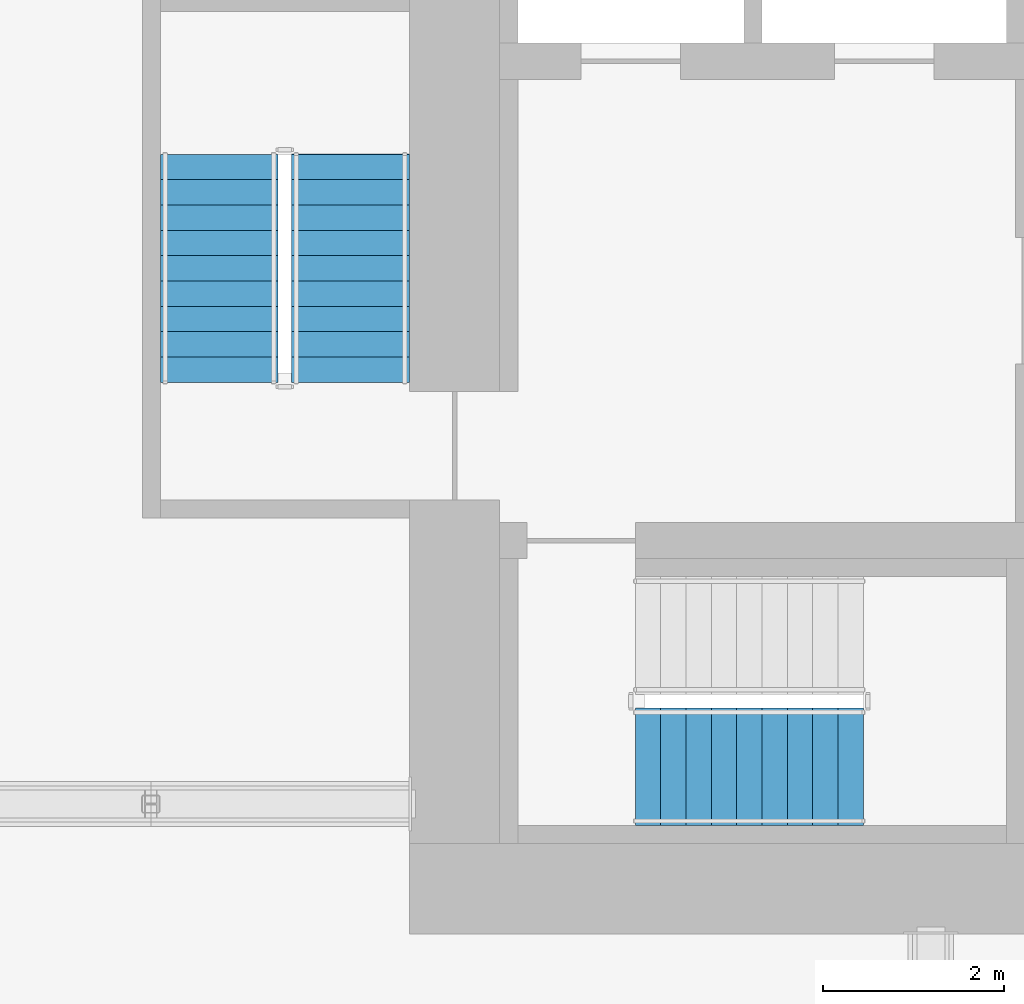
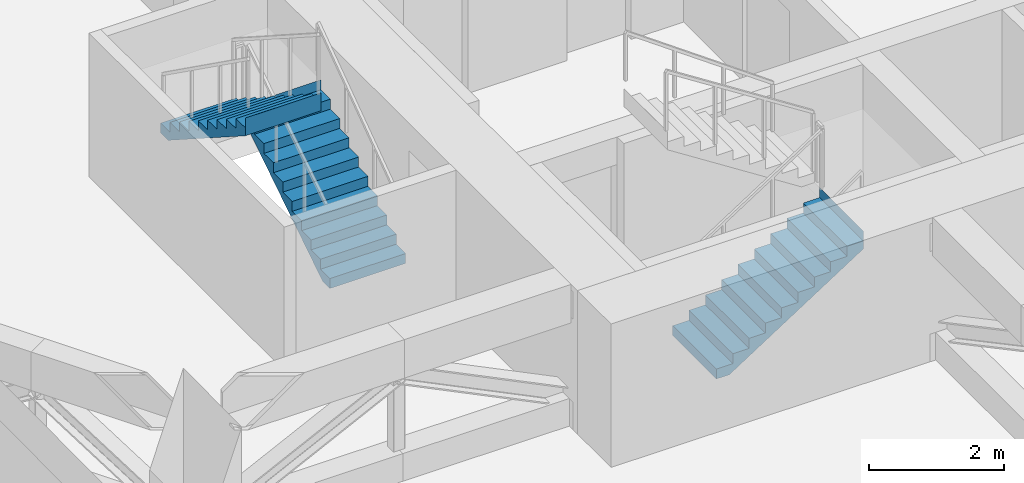
# One storey, part 17 of 23: 3 stair flights, 2 elements without a shape of their own.
"""IFC4 building model written with IfcOpenShell, lengths in metres."""

from ifc_helpers import new_model, si_unit, direction, frame, origin, place, context, subcontext, project, spatial, triangles, material, type_object, element, aggregate, save


model = new_model("IFC4")

# Units and contexts
model_context = context("Model", 3, precision=1e-05, world=origin(), true_north=direction((0.0, 1.0)))
body_context = subcontext(model_context, "Body", "Model", "MODEL_VIEW")
ifc_project = project(units=[si_unit("LENGTHUNIT", "METRE"), si_unit("AREAUNIT", "SQUARE_METRE"), si_unit("VOLUMEUNIT", "CUBIC_METRE"), si_unit("PLANEANGLEUNIT", "RADIAN"), si_unit("MASSUNIT", "GRAM", prefix="KILO")], contexts=[model_context])

# Site, building, storey
site_placement = place(None, origin())
site = spatial("IfcSite", under=ifc_project, at=site_placement, CompositionType="ELEMENT")
building_placement = place(site_placement, origin())
building = spatial("IfcBuilding", under=site, at=building_placement, Name="Beryl Residences", CompositionType="ELEMENT")
storey_placement = place(building_placement, frame((0.0, 0.0, 108.0)))
storey = spatial("IfcBuildingStorey", under=building, at=storey_placement, Name="L33", CompositionType="ELEMENT", Elevation=108.0)

# Stair, stair flight
ifc_material_1 = material(Name="Concrete C40/50", Category="concrete")
stair_type = type_object("IfcStairType", Name="ST1 protected exit stair, half-turn, 1300 mm flights", PredefinedType="HALF_TURN_STAIR", material=ifc_material_1)
stair_1_placement = place(storey_placement, origin())
stair_1 = element("IfcStair", 1, at=stair_1_placement, inside=storey, type_object=stair_type, Name="L33 PROTECTED EXIT STAIR ST-1", PredefinedType="HALF_TURN_STAIR")
ifc_material_2 = material(Name="Concrete C40/50", Category="concrete")
stair_flight_type = type_object("IfcStairFlightType", Name="SF1 stair flight 1300 mm", PredefinedType="STRAIGHT", material=ifc_material_2)
stair_flight_1_placement = place(storey_placement, frame((-10.800048828125, -17.14990234375, 0.0), z_axis=(0.0, 0.0, 1.0), x_axis=(1.0, 0.0, 0.0)))
stair_flight_1 = element("IfcStairFlight", 2, at=stair_flight_1_placement, type_object=stair_flight_type, Name="ST-1 flight 1", NumberOfRisers=10, NumberOfTreads=9, PredefinedType="STRAIGHT", RiserHeight=0.18, TreadLength=0.28, context=body_context, shape_type="Tessellation", body=[
    triangles([(0.0, -0.64990234375, 0.0), (0.0, -0.324951171875, 0.0), (0.0, 0.0, 0.0), (0.0, 0.324951171875, 0.0), (0.0, 0.64990234375, 0.0), (0.0, -0.64990234375, 0.179931640625), (0.0, -0.324951171875, 0.179931640625), (0.0, 0.0, 0.179931640625), (0.0, 0.324951171875, 0.179931640625), (0.0, 0.64990234375, 0.179931640625), (0.280029296875, -0.64990234375, 0.179931640625), (0.280029296875, -0.324951171875, 0.179931640625), (0.280029296875, 0.0, 0.179931640625), (0.280029296875, 0.324951171875, 0.179931640625), (0.280029296875, 0.64990234375, 0.179931640625), (0.280029296875, -0.64990234375, 0.360107421875), (0.280029296875, -0.324951171875, 0.360107421875), (0.280029296875, 0.0, 0.360107421875), (0.280029296875, 0.324951171875, 0.360107421875), (0.280029296875, 0.64990234375, 0.360107421875), (0.56005859375, -0.64990234375, 0.360107421875), (0.56005859375, -0.324951171875, 0.360107421875), (0.56005859375, 0.0, 0.360107421875), (0.56005859375, 0.324951171875, 0.360107421875), (0.56005859375, 0.64990234375, 0.360107421875), (0.56005859375, -0.64990234375, 0.5400390625), (0.56005859375, -0.324951171875, 0.5400390625), (0.56005859375, 0.0, 0.5400390625), (0.56005859375, 0.324951171875, 0.5400390625), (0.56005859375, 0.64990234375, 0.5400390625), (0.840087890625, -0.64990234375, 0.5400390625), (0.840087890625, -0.324951171875, 0.5400390625), (0.840087890625, 0.0, 0.5400390625), (0.840087890625, 0.324951171875, 0.5400390625), (0.840087890625, 0.64990234375, 0.5400390625), (0.840087890625, -0.64990234375, 0.719970703125), (0.840087890625, -0.324951171875, 0.719970703125), (0.840087890625, 0.0, 0.719970703125), (0.840087890625, 0.324951171875, 0.719970703125), (0.840087890625, 0.64990234375, 0.719970703125), (1.1201171875, -0.64990234375, 0.719970703125), (1.1201171875, -0.324951171875, 0.719970703125), (1.1201171875, 0.0, 0.719970703125), (1.1201171875, 0.324951171875, 0.719970703125), (1.1201171875, 0.64990234375, 0.719970703125), (1.1201171875, -0.64990234375, 0.89990234375), (1.1201171875, -0.324951171875, 0.89990234375), (1.1201171875, 0.0, 0.89990234375), (1.1201171875, 0.324951171875, 0.89990234375), (1.1201171875, 0.64990234375, 0.89990234375), (1.39990234375, -0.64990234375, 0.89990234375), (1.39990234375, -0.324951171875, 0.89990234375), (1.39990234375, 0.0, 0.89990234375), (1.39990234375, 0.324951171875, 0.89990234375), (1.39990234375, 0.64990234375, 0.89990234375), (1.39990234375, -0.64990234375, 1.080078125), (1.39990234375, -0.324951171875, 1.080078125), (1.39990234375, 0.0, 1.080078125), (1.39990234375, 0.324951171875, 1.080078125), (1.39990234375, 0.64990234375, 1.080078125), (1.679931640625, -0.64990234375, 1.080078125), (1.679931640625, -0.324951171875, 1.080078125), (1.679931640625, 0.0, 1.080078125), (1.679931640625, 0.324951171875, 1.080078125), (1.679931640625, 0.64990234375, 1.080078125), (1.679931640625, -0.64990234375, 1.260009765625), (1.679931640625, -0.324951171875, 1.260009765625), (1.679931640625, 0.0, 1.260009765625), (1.679931640625, 0.324951171875, 1.260009765625), (1.679931640625, 0.64990234375, 1.260009765625), (1.9599609375, -0.64990234375, 1.260009765625), (1.9599609375, -0.324951171875, 1.260009765625), (1.9599609375, 0.0, 1.260009765625), (1.9599609375, 0.324951171875, 1.260009765625), (1.9599609375, 0.64990234375, 1.260009765625), (1.9599609375, -0.64990234375, 1.43994140625), (1.9599609375, -0.324951171875, 1.43994140625), (1.9599609375, 0.0, 1.43994140625), (1.9599609375, 0.324951171875, 1.43994140625), (1.9599609375, 0.64990234375, 1.43994140625), (2.239990234375, -0.64990234375, 1.43994140625), (2.239990234375, -0.324951171875, 1.43994140625), (2.239990234375, 0.0, 1.43994140625), (2.239990234375, 0.324951171875, 1.43994140625), (2.239990234375, 0.64990234375, 1.43994140625), (2.239990234375, -0.64990234375, 1.6201171875), (2.239990234375, -0.324951171875, 1.6201171875), (2.239990234375, 0.0, 1.6201171875), (2.239990234375, 0.324951171875, 1.6201171875), (2.239990234375, 0.64990234375, 1.6201171875), (2.52001953125, -0.64990234375, 1.6201171875), (2.52001953125, -0.324951171875, 1.6201171875), (2.52001953125, 0.0, 1.6201171875), (2.52001953125, 0.324951171875, 1.6201171875), (2.52001953125, 0.64990234375, 1.6201171875), (2.52001953125, -0.64990234375, 1.800048828125), (2.52001953125, -0.324951171875, 1.800048828125), (2.52001953125, 0.0, 1.800048828125), (2.52001953125, 0.324951171875, 1.800048828125), (2.52001953125, 0.64990234375, 1.800048828125), (2.52099609375, -0.64990234375, 1.800048828125), (2.52099609375, -0.324951171875, 1.800048828125), (2.52099609375, 0.0, 1.800048828125), (2.52099609375, 0.324951171875, 1.800048828125), (2.52099609375, 0.64990234375, 1.800048828125), (2.52099609375, -0.64990234375, 1.477294921875), (2.52099609375, -0.324951171875, 1.477294921875), (2.52099609375, 0.0, 1.477294921875), (2.52099609375, 0.324951171875, 1.477294921875), (2.52099609375, 0.64990234375, 1.477294921875), (0.22314453125, -0.64990234375, 0.0), (0.22314453125, -0.324951171875, 0.0), (0.22314453125, 0.0, 0.0), (0.22314453125, 0.324951171875, 0.0), (0.22314453125, 0.64990234375, 0.0)], [[1, 6, 7], [1, 7, 2], [2, 7, 8], [2, 8, 3], [3, 8, 9], [3, 9, 4], [4, 9, 10], [4, 10, 5], [6, 11, 12], [6, 12, 7], [7, 12, 13], [7, 13, 8], [8, 13, 14], [8, 14, 9], [9, 14, 15], [9, 15, 10], [11, 16, 17], [11, 17, 12], [12, 17, 18], [12, 18, 13], [13, 18, 19], [13, 19, 14], [14, 19, 20], [14, 20, 15], [16, 21, 22], [16, 22, 17], [17, 22, 23], [17, 23, 18], [18, 23, 24], [18, 24, 19], [19, 24, 25], [19, 25, 20], [21, 26, 27], [21, 27, 22], [22, 27, 28], [22, 28, 23], [23, 28, 29], [23, 29, 24], [24, 29, 30], [24, 30, 25], [26, 31, 32], [26, 32, 27], [27, 32, 33], [27, 33, 28], [28, 33, 34], [28, 34, 29], [29, 34, 35], [29, 35, 30], [31, 36, 37], [31, 37, 32], [32, 37, 38], [32, 38, 33], [33, 38, 39], [33, 39, 34], [34, 39, 40], [34, 40, 35], [36, 41, 42], [36, 42, 37], [37, 42, 43], [37, 43, 38], [38, 43, 44], [38, 44, 39], [39, 44, 45], [39, 45, 40], [41, 46, 47], [41, 47, 42], [42, 47, 48], [42, 48, 43], [43, 48, 49], [43, 49, 44], [44, 49, 50], [44, 50, 45], [46, 51, 52], [46, 52, 47], [47, 52, 53], [47, 53, 48], [48, 53, 54], [48, 54, 49], [49, 54, 55], [49, 55, 50], [51, 56, 57], [51, 57, 52], [52, 57, 58], [52, 58, 53], [53, 58, 59], [53, 59, 54], [54, 59, 60], [54, 60, 55], [56, 61, 62], [56, 62, 57], [57, 62, 63], [57, 63, 58], [58, 63, 64], [58, 64, 59], [59, 64, 65], [59, 65, 60], [61, 66, 67], [61, 67, 62], [62, 67, 68], [62, 68, 63], [63, 68, 69], [63, 69, 64], [64, 69, 70], [64, 70, 65], [66, 71, 72], [66, 72, 67], [67, 72, 73], [67, 73, 68], [68, 73, 74], [68, 74, 69], [69, 74, 75], [69, 75, 70], [71, 76, 77], [71, 77, 72], [72, 77, 78], [72, 78, 73], [73, 78, 79], [73, 79, 74], [74, 79, 80], [74, 80, 75], [76, 81, 82], [76, 82, 77], [77, 82, 83], [77, 83, 78], [78, 83, 84], [78, 84, 79], [79, 84, 85], [79, 85, 80], [81, 86, 87], [81, 87, 82], [82, 87, 88], [82, 88, 83], [83, 88, 89], [83, 89, 84], [84, 89, 90], [84, 90, 85], [86, 91, 92], [86, 92, 87], [87, 92, 93], [87, 93, 88], [88, 93, 94], [88, 94, 89], [89, 94, 95], [89, 95, 90], [91, 96, 97], [91, 97, 92], [92, 97, 98], [92, 98, 93], [93, 98, 99], [93, 99, 94], [94, 99, 100], [94, 100, 95], [96, 101, 102], [96, 102, 97], [97, 102, 103], [97, 103, 98], [98, 103, 104], [98, 104, 99], [99, 104, 105], [99, 105, 100], [101, 106, 107], [101, 107, 102], [102, 107, 108], [102, 108, 103], [103, 108, 109], [103, 109, 104], [104, 109, 110], [104, 110, 105], [106, 111, 112], [106, 112, 107], [107, 112, 113], [107, 113, 108], [108, 113, 114], [108, 114, 109], [109, 114, 115], [109, 115, 110], [111, 1, 2], [111, 2, 112], [112, 2, 3], [112, 3, 113], [113, 3, 4], [113, 4, 114], [114, 4, 5], [114, 5, 115], [1, 111, 106], [5, 110, 115], [106, 101, 96], [110, 100, 105], [106, 96, 91], [110, 95, 100], [106, 91, 86], [110, 90, 95], [106, 86, 81], [110, 85, 90], [81, 76, 71], [85, 75, 80], [106, 81, 71], [110, 75, 85], [71, 66, 61], [75, 65, 70], [106, 71, 61], [110, 65, 75], [61, 56, 51], [65, 55, 60], [106, 61, 51], [110, 55, 65], [51, 46, 41], [55, 45, 50], [106, 51, 41], [110, 45, 55], [41, 36, 31], [45, 35, 40], [106, 41, 31], [110, 35, 45], [31, 26, 21], [35, 25, 30], [106, 31, 21], [110, 25, 35], [21, 16, 11], [25, 15, 20], [106, 21, 11], [110, 15, 25], [1, 106, 11], [5, 15, 110], [11, 6, 1], [15, 5, 10]], closed=True),
])
aggregate(stair_1, [stair_flight_1])

# Stair, stair flights
stair_2_placement = place(storey_placement, origin())
stair_2 = element("IfcStair", 3, at=stair_2_placement, inside=storey, type_object=stair_type, Name="L33 PROTECTED EXIT STAIR ST-2", PredefinedType="HALF_TURN_STAIR")
stair_flight_2_placement = place(storey_placement, frame((-13.949951171875, -12.89990234375, 0.0), z_axis=(0.0, 0.0, 1.0), x_axis=(0.0, 1.0, 0.0)))
stair_flight_2 = element("IfcStairFlight", 4, at=stair_flight_2_placement, type_object=stair_flight_type, Name="ST-2 flight 1", NumberOfRisers=10, NumberOfTreads=9, PredefinedType="STRAIGHT", RiserHeight=0.18, TreadLength=0.28, context=body_context, shape_type="Tessellation", body=[
    triangles([(0.0, -0.64990234375, 0.0), (0.0, -0.324951171875, 0.0), (0.0, 0.0, 0.0), (0.0, 0.324951171875, 0.0), (0.0, 0.64990234375, 0.0), (0.0, -0.64990234375, 0.179931640625), (0.0, -0.324951171875, 0.179931640625), (0.0, 0.0, 0.179931640625), (0.0, 0.324951171875, 0.179931640625), (0.0, 0.64990234375, 0.179931640625), (0.280029296875, -0.64990234375, 0.179931640625), (0.280029296875, -0.324951171875, 0.179931640625), (0.280029296875, 0.0, 0.179931640625), (0.280029296875, 0.324951171875, 0.179931640625), (0.280029296875, 0.64990234375, 0.179931640625), (0.280029296875, -0.64990234375, 0.360107421875), (0.280029296875, -0.324951171875, 0.360107421875), (0.280029296875, 0.0, 0.360107421875), (0.280029296875, 0.324951171875, 0.360107421875), (0.280029296875, 0.64990234375, 0.360107421875), (0.56005859375, -0.64990234375, 0.360107421875), (0.56005859375, -0.324951171875, 0.360107421875), (0.56005859375, 0.0, 0.360107421875), (0.56005859375, 0.324951171875, 0.360107421875), (0.56005859375, 0.64990234375, 0.360107421875), (0.56005859375, -0.64990234375, 0.5400390625), (0.56005859375, -0.324951171875, 0.5400390625), (0.56005859375, 0.0, 0.5400390625), (0.56005859375, 0.324951171875, 0.5400390625), (0.56005859375, 0.64990234375, 0.5400390625), (0.840087890625, -0.64990234375, 0.5400390625), (0.840087890625, -0.324951171875, 0.5400390625), (0.840087890625, 0.0, 0.5400390625), (0.840087890625, 0.324951171875, 0.5400390625), (0.840087890625, 0.64990234375, 0.5400390625), (0.840087890625, -0.64990234375, 0.719970703125), (0.840087890625, -0.324951171875, 0.719970703125), (0.840087890625, 0.0, 0.719970703125), (0.840087890625, 0.324951171875, 0.719970703125), (0.840087890625, 0.64990234375, 0.719970703125), (1.1201171875, -0.64990234375, 0.719970703125), (1.1201171875, -0.324951171875, 0.719970703125), (1.1201171875, 0.0, 0.719970703125), (1.1201171875, 0.324951171875, 0.719970703125), (1.1201171875, 0.64990234375, 0.719970703125), (1.1201171875, -0.64990234375, 0.89990234375), (1.1201171875, -0.324951171875, 0.89990234375), (1.1201171875, 0.0, 0.89990234375), (1.1201171875, 0.324951171875, 0.89990234375), (1.1201171875, 0.64990234375, 0.89990234375), (1.39990234375, -0.64990234375, 0.89990234375), (1.39990234375, -0.324951171875, 0.89990234375), (1.39990234375, 0.0, 0.89990234375), (1.39990234375, 0.324951171875, 0.89990234375), (1.39990234375, 0.64990234375, 0.89990234375), (1.39990234375, -0.64990234375, 1.080078125), (1.39990234375, -0.324951171875, 1.080078125), (1.39990234375, 0.0, 1.080078125), (1.39990234375, 0.324951171875, 1.080078125), (1.39990234375, 0.64990234375, 1.080078125), (1.679931640625, -0.64990234375, 1.080078125), (1.679931640625, -0.324951171875, 1.080078125), (1.679931640625, 0.0, 1.080078125), (1.679931640625, 0.324951171875, 1.080078125), (1.679931640625, 0.64990234375, 1.080078125), (1.679931640625, -0.64990234375, 1.260009765625), (1.679931640625, -0.324951171875, 1.260009765625), (1.679931640625, 0.0, 1.260009765625), (1.679931640625, 0.324951171875, 1.260009765625), (1.679931640625, 0.64990234375, 1.260009765625), (1.9599609375, -0.64990234375, 1.260009765625), (1.9599609375, -0.324951171875, 1.260009765625), (1.9599609375, 0.0, 1.260009765625), (1.9599609375, 0.324951171875, 1.260009765625), (1.9599609375, 0.64990234375, 1.260009765625), (1.9599609375, -0.64990234375, 1.43994140625), (1.9599609375, -0.324951171875, 1.43994140625), (1.9599609375, 0.0, 1.43994140625), (1.9599609375, 0.324951171875, 1.43994140625), (1.9599609375, 0.64990234375, 1.43994140625), (2.239990234375, -0.64990234375, 1.43994140625), (2.239990234375, -0.324951171875, 1.43994140625), (2.239990234375, 0.0, 1.43994140625), (2.239990234375, 0.324951171875, 1.43994140625), (2.239990234375, 0.64990234375, 1.43994140625), (2.239990234375, -0.64990234375, 1.6201171875), (2.239990234375, -0.324951171875, 1.6201171875), (2.239990234375, 0.0, 1.6201171875), (2.239990234375, 0.324951171875, 1.6201171875), (2.239990234375, 0.64990234375, 1.6201171875), (2.52001953125, -0.64990234375, 1.6201171875), (2.52001953125, -0.324951171875, 1.6201171875), (2.52001953125, 0.0, 1.6201171875), (2.52001953125, 0.324951171875, 1.6201171875), (2.52001953125, 0.64990234375, 1.6201171875), (2.52001953125, -0.64990234375, 1.800048828125), (2.52001953125, -0.324951171875, 1.800048828125), (2.52001953125, 0.0, 1.800048828125), (2.52001953125, 0.324951171875, 1.800048828125), (2.52001953125, 0.64990234375, 1.800048828125), (2.52099609375, -0.64990234375, 1.800048828125), (2.52099609375, -0.324951171875, 1.800048828125), (2.52099609375, 0.0, 1.800048828125), (2.52099609375, 0.324951171875, 1.800048828125), (2.52099609375, 0.64990234375, 1.800048828125), (2.52099609375, -0.64990234375, 1.477294921875), (2.52099609375, -0.324951171875, 1.477294921875), (2.52099609375, 0.0, 1.477294921875), (2.52099609375, 0.324951171875, 1.477294921875), (2.52099609375, 0.64990234375, 1.477294921875), (0.22314453125, -0.64990234375, 0.0), (0.22314453125, -0.324951171875, 0.0), (0.22314453125, 0.0, 0.0), (0.22314453125, 0.324951171875, 0.0), (0.22314453125, 0.64990234375, 0.0)], [[1, 6, 7], [1, 7, 2], [2, 7, 8], [2, 8, 3], [3, 8, 9], [3, 9, 4], [4, 9, 10], [4, 10, 5], [6, 11, 12], [6, 12, 7], [7, 12, 13], [7, 13, 8], [8, 13, 14], [8, 14, 9], [9, 14, 15], [9, 15, 10], [11, 16, 17], [11, 17, 12], [12, 17, 18], [12, 18, 13], [13, 18, 19], [13, 19, 14], [14, 19, 20], [14, 20, 15], [16, 21, 22], [16, 22, 17], [17, 22, 23], [17, 23, 18], [18, 23, 24], [18, 24, 19], [19, 24, 25], [19, 25, 20], [21, 26, 27], [21, 27, 22], [22, 27, 28], [22, 28, 23], [23, 28, 29], [23, 29, 24], [24, 29, 30], [24, 30, 25], [26, 31, 32], [26, 32, 27], [27, 32, 33], [27, 33, 28], [28, 33, 34], [28, 34, 29], [29, 34, 35], [29, 35, 30], [31, 36, 37], [31, 37, 32], [32, 37, 38], [32, 38, 33], [33, 38, 39], [33, 39, 34], [34, 39, 40], [34, 40, 35], [36, 41, 42], [36, 42, 37], [37, 42, 43], [37, 43, 38], [38, 43, 44], [38, 44, 39], [39, 44, 45], [39, 45, 40], [41, 46, 47], [41, 47, 42], [42, 47, 48], [42, 48, 43], [43, 48, 49], [43, 49, 44], [44, 49, 50], [44, 50, 45], [46, 51, 52], [46, 52, 47], [47, 52, 53], [47, 53, 48], [48, 53, 54], [48, 54, 49], [49, 54, 55], [49, 55, 50], [51, 56, 57], [51, 57, 52], [52, 57, 58], [52, 58, 53], [53, 58, 59], [53, 59, 54], [54, 59, 60], [54, 60, 55], [56, 61, 62], [56, 62, 57], [57, 62, 63], [57, 63, 58], [58, 63, 64], [58, 64, 59], [59, 64, 65], [59, 65, 60], [61, 66, 67], [61, 67, 62], [62, 67, 68], [62, 68, 63], [63, 68, 69], [63, 69, 64], [64, 69, 70], [64, 70, 65], [66, 71, 72], [66, 72, 67], [67, 72, 73], [67, 73, 68], [68, 73, 74], [68, 74, 69], [69, 74, 75], [69, 75, 70], [71, 76, 77], [71, 77, 72], [72, 77, 78], [72, 78, 73], [73, 78, 79], [73, 79, 74], [74, 79, 80], [74, 80, 75], [76, 81, 82], [76, 82, 77], [77, 82, 83], [77, 83, 78], [78, 83, 84], [78, 84, 79], [79, 84, 85], [79, 85, 80], [81, 86, 87], [81, 87, 82], [82, 87, 88], [82, 88, 83], [83, 88, 89], [83, 89, 84], [84, 89, 90], [84, 90, 85], [86, 91, 92], [86, 92, 87], [87, 92, 93], [87, 93, 88], [88, 93, 94], [88, 94, 89], [89, 94, 95], [89, 95, 90], [91, 96, 97], [91, 97, 92], [92, 97, 98], [92, 98, 93], [93, 98, 99], [93, 99, 94], [94, 99, 100], [94, 100, 95], [96, 101, 102], [96, 102, 97], [97, 102, 103], [97, 103, 98], [98, 103, 104], [98, 104, 99], [99, 104, 105], [99, 105, 100], [101, 106, 107], [101, 107, 102], [102, 107, 108], [102, 108, 103], [103, 108, 109], [103, 109, 104], [104, 109, 110], [104, 110, 105], [106, 111, 112], [106, 112, 107], [107, 112, 113], [107, 113, 108], [108, 113, 114], [108, 114, 109], [109, 114, 115], [109, 115, 110], [111, 1, 2], [111, 2, 112], [112, 2, 3], [112, 3, 113], [113, 3, 4], [113, 4, 114], [114, 4, 5], [114, 5, 115], [1, 111, 106], [5, 110, 115], [106, 101, 96], [110, 100, 105], [106, 96, 91], [110, 95, 100], [106, 91, 86], [110, 90, 95], [106, 86, 81], [110, 85, 90], [81, 76, 71], [85, 75, 80], [106, 81, 71], [110, 75, 85], [71, 66, 61], [75, 65, 70], [106, 71, 61], [110, 65, 75], [61, 56, 51], [65, 55, 60], [106, 61, 51], [110, 55, 65], [51, 46, 41], [55, 45, 50], [106, 51, 41], [110, 45, 55], [41, 36, 31], [45, 35, 40], [106, 41, 31], [110, 35, 45], [31, 26, 21], [35, 25, 30], [106, 31, 21], [110, 25, 35], [21, 16, 11], [25, 15, 20], [106, 21, 11], [110, 15, 25], [1, 106, 11], [5, 15, 110], [11, 6, 1], [15, 5, 10]], closed=True),
])
stair_flight_3_placement = place(storey_placement, frame((-15.39990234375, -10.3798828125, 1.800048828125), z_axis=(0.0, 0.0, 1.0), x_axis=(0.0, -1.0, 0.0)))
stair_flight_3 = element("IfcStairFlight", 5, at=stair_flight_3_placement, type_object=stair_flight_type, Name="ST-2 flight 2", NumberOfRisers=10, NumberOfTreads=9, PredefinedType="STRAIGHT", RiserHeight=0.18, TreadLength=0.28, context=body_context, shape_type="Tessellation", body=[
    triangles([(0.0, -0.64990234375, 0.0), (0.0, -0.324951171875, 0.0), (0.0, 0.0, 0.0), (0.0, 0.324951171875, 0.0), (0.0, 0.64990234375, 0.0), (0.0, -0.64990234375, 0.179931640625), (0.0, -0.324951171875, 0.179931640625), (0.0, 0.0, 0.179931640625), (0.0, 0.324951171875, 0.179931640625), (0.0, 0.64990234375, 0.179931640625), (0.280029296875, -0.64990234375, 0.179931640625), (0.280029296875, -0.324951171875, 0.179931640625), (0.280029296875, 0.0, 0.179931640625), (0.280029296875, 0.324951171875, 0.179931640625), (0.280029296875, 0.64990234375, 0.179931640625), (0.280029296875, -0.64990234375, 0.360107421875), (0.280029296875, -0.324951171875, 0.360107421875), (0.280029296875, 0.0, 0.360107421875), (0.280029296875, 0.324951171875, 0.360107421875), (0.280029296875, 0.64990234375, 0.360107421875), (0.56005859375, -0.64990234375, 0.360107421875), (0.56005859375, -0.324951171875, 0.360107421875), (0.56005859375, 0.0, 0.360107421875), (0.56005859375, 0.324951171875, 0.360107421875), (0.56005859375, 0.64990234375, 0.360107421875), (0.56005859375, -0.64990234375, 0.5400390625), (0.56005859375, -0.324951171875, 0.5400390625), (0.56005859375, 0.0, 0.5400390625), (0.56005859375, 0.324951171875, 0.5400390625), (0.56005859375, 0.64990234375, 0.5400390625), (0.840087890625, -0.64990234375, 0.5400390625), (0.840087890625, -0.324951171875, 0.5400390625), (0.840087890625, 0.0, 0.5400390625), (0.840087890625, 0.324951171875, 0.5400390625), (0.840087890625, 0.64990234375, 0.5400390625), (0.840087890625, -0.64990234375, 0.719970703125), (0.840087890625, -0.324951171875, 0.719970703125), (0.840087890625, 0.0, 0.719970703125), (0.840087890625, 0.324951171875, 0.719970703125), (0.840087890625, 0.64990234375, 0.719970703125), (1.1201171875, -0.64990234375, 0.719970703125), (1.1201171875, -0.324951171875, 0.719970703125), (1.1201171875, 0.0, 0.719970703125), (1.1201171875, 0.324951171875, 0.719970703125), (1.1201171875, 0.64990234375, 0.719970703125), (1.1201171875, -0.64990234375, 0.89990234375), (1.1201171875, -0.324951171875, 0.89990234375), (1.1201171875, 0.0, 0.89990234375), (1.1201171875, 0.324951171875, 0.89990234375), (1.1201171875, 0.64990234375, 0.89990234375), (1.39990234375, -0.64990234375, 0.89990234375), (1.39990234375, -0.324951171875, 0.89990234375), (1.39990234375, 0.0, 0.89990234375), (1.39990234375, 0.324951171875, 0.89990234375), (1.39990234375, 0.64990234375, 0.89990234375), (1.39990234375, -0.64990234375, 1.080078125), (1.39990234375, -0.324951171875, 1.080078125), (1.39990234375, 0.0, 1.080078125), (1.39990234375, 0.324951171875, 1.080078125), (1.39990234375, 0.64990234375, 1.080078125), (1.679931640625, -0.64990234375, 1.080078125), (1.679931640625, -0.324951171875, 1.080078125), (1.679931640625, 0.0, 1.080078125), (1.679931640625, 0.324951171875, 1.080078125), (1.679931640625, 0.64990234375, 1.080078125), (1.679931640625, -0.64990234375, 1.260009765625), (1.679931640625, -0.324951171875, 1.260009765625), (1.679931640625, 0.0, 1.260009765625), (1.679931640625, 0.324951171875, 1.260009765625), (1.679931640625, 0.64990234375, 1.260009765625), (1.9599609375, -0.64990234375, 1.260009765625), (1.9599609375, -0.324951171875, 1.260009765625), (1.9599609375, 0.0, 1.260009765625), (1.9599609375, 0.324951171875, 1.260009765625), (1.9599609375, 0.64990234375, 1.260009765625), (1.9599609375, -0.64990234375, 1.43994140625), (1.9599609375, -0.324951171875, 1.43994140625), (1.9599609375, 0.0, 1.43994140625), (1.9599609375, 0.324951171875, 1.43994140625), (1.9599609375, 0.64990234375, 1.43994140625), (2.239990234375, -0.64990234375, 1.43994140625), (2.239990234375, -0.324951171875, 1.43994140625), (2.239990234375, 0.0, 1.43994140625), (2.239990234375, 0.324951171875, 1.43994140625), (2.239990234375, 0.64990234375, 1.43994140625), (2.239990234375, -0.64990234375, 1.6201171875), (2.239990234375, -0.324951171875, 1.6201171875), (2.239990234375, 0.0, 1.6201171875), (2.239990234375, 0.324951171875, 1.6201171875), (2.239990234375, 0.64990234375, 1.6201171875), (2.52001953125, -0.64990234375, 1.6201171875), (2.52001953125, -0.324951171875, 1.6201171875), (2.52001953125, 0.0, 1.6201171875), (2.52001953125, 0.324951171875, 1.6201171875), (2.52001953125, 0.64990234375, 1.6201171875), (2.52001953125, -0.64990234375, 1.800048828125), (2.52001953125, -0.324951171875, 1.800048828125), (2.52001953125, 0.0, 1.800048828125), (2.52001953125, 0.324951171875, 1.800048828125), (2.52001953125, 0.64990234375, 1.800048828125), (2.52099609375, -0.64990234375, 1.800048828125), (2.52099609375, -0.324951171875, 1.800048828125), (2.52099609375, 0.0, 1.800048828125), (2.52099609375, 0.324951171875, 1.800048828125), (2.52099609375, 0.64990234375, 1.800048828125), (2.52099609375, -0.64990234375, 1.477294921875), (2.52099609375, -0.324951171875, 1.477294921875), (2.52099609375, 0.0, 1.477294921875), (2.52099609375, 0.324951171875, 1.477294921875), (2.52099609375, 0.64990234375, 1.477294921875), (0.22314453125, -0.64990234375, 0.0), (0.22314453125, -0.324951171875, 0.0), (0.22314453125, 0.0, 0.0), (0.22314453125, 0.324951171875, 0.0), (0.22314453125, 0.64990234375, 0.0)], [[1, 6, 7], [1, 7, 2], [2, 7, 8], [2, 8, 3], [3, 8, 9], [3, 9, 4], [4, 9, 10], [4, 10, 5], [6, 11, 12], [6, 12, 7], [7, 12, 13], [7, 13, 8], [8, 13, 14], [8, 14, 9], [9, 14, 15], [9, 15, 10], [11, 16, 17], [11, 17, 12], [12, 17, 18], [12, 18, 13], [13, 18, 19], [13, 19, 14], [14, 19, 20], [14, 20, 15], [16, 21, 22], [16, 22, 17], [17, 22, 23], [17, 23, 18], [18, 23, 24], [18, 24, 19], [19, 24, 25], [19, 25, 20], [21, 26, 27], [21, 27, 22], [22, 27, 28], [22, 28, 23], [23, 28, 29], [23, 29, 24], [24, 29, 30], [24, 30, 25], [26, 31, 32], [26, 32, 27], [27, 32, 33], [27, 33, 28], [28, 33, 34], [28, 34, 29], [29, 34, 35], [29, 35, 30], [31, 36, 37], [31, 37, 32], [32, 37, 38], [32, 38, 33], [33, 38, 39], [33, 39, 34], [34, 39, 40], [34, 40, 35], [36, 41, 42], [36, 42, 37], [37, 42, 43], [37, 43, 38], [38, 43, 44], [38, 44, 39], [39, 44, 45], [39, 45, 40], [41, 46, 47], [41, 47, 42], [42, 47, 48], [42, 48, 43], [43, 48, 49], [43, 49, 44], [44, 49, 50], [44, 50, 45], [46, 51, 52], [46, 52, 47], [47, 52, 53], [47, 53, 48], [48, 53, 54], [48, 54, 49], [49, 54, 55], [49, 55, 50], [51, 56, 57], [51, 57, 52], [52, 57, 58], [52, 58, 53], [53, 58, 59], [53, 59, 54], [54, 59, 60], [54, 60, 55], [56, 61, 62], [56, 62, 57], [57, 62, 63], [57, 63, 58], [58, 63, 64], [58, 64, 59], [59, 64, 65], [59, 65, 60], [61, 66, 67], [61, 67, 62], [62, 67, 68], [62, 68, 63], [63, 68, 69], [63, 69, 64], [64, 69, 70], [64, 70, 65], [66, 71, 72], [66, 72, 67], [67, 72, 73], [67, 73, 68], [68, 73, 74], [68, 74, 69], [69, 74, 75], [69, 75, 70], [71, 76, 77], [71, 77, 72], [72, 77, 78], [72, 78, 73], [73, 78, 79], [73, 79, 74], [74, 79, 80], [74, 80, 75], [76, 81, 82], [76, 82, 77], [77, 82, 83], [77, 83, 78], [78, 83, 84], [78, 84, 79], [79, 84, 85], [79, 85, 80], [81, 86, 87], [81, 87, 82], [82, 87, 88], [82, 88, 83], [83, 88, 89], [83, 89, 84], [84, 89, 90], [84, 90, 85], [86, 91, 92], [86, 92, 87], [87, 92, 93], [87, 93, 88], [88, 93, 94], [88, 94, 89], [89, 94, 95], [89, 95, 90], [91, 96, 97], [91, 97, 92], [92, 97, 98], [92, 98, 93], [93, 98, 99], [93, 99, 94], [94, 99, 100], [94, 100, 95], [96, 101, 102], [96, 102, 97], [97, 102, 103], [97, 103, 98], [98, 103, 104], [98, 104, 99], [99, 104, 105], [99, 105, 100], [101, 106, 107], [101, 107, 102], [102, 107, 108], [102, 108, 103], [103, 108, 109], [103, 109, 104], [104, 109, 110], [104, 110, 105], [106, 111, 112], [106, 112, 107], [107, 112, 113], [107, 113, 108], [108, 113, 114], [108, 114, 109], [109, 114, 115], [109, 115, 110], [111, 1, 2], [111, 2, 112], [112, 2, 3], [112, 3, 113], [113, 3, 4], [113, 4, 114], [114, 4, 5], [114, 5, 115], [1, 111, 106], [5, 110, 115], [106, 101, 96], [110, 100, 105], [106, 96, 91], [110, 95, 100], [106, 91, 86], [110, 90, 95], [106, 86, 81], [110, 85, 90], [81, 76, 71], [85, 75, 80], [106, 81, 71], [110, 75, 85], [71, 66, 61], [75, 65, 70], [106, 71, 61], [110, 65, 75], [61, 56, 51], [65, 55, 60], [106, 61, 51], [110, 55, 65], [51, 46, 41], [55, 45, 50], [106, 51, 41], [110, 45, 55], [41, 36, 31], [45, 35, 40], [106, 41, 31], [110, 35, 45], [31, 26, 21], [35, 25, 30], [106, 31, 21], [110, 25, 35], [21, 16, 11], [25, 15, 20], [106, 21, 11], [110, 15, 25], [1, 106, 11], [5, 15, 110], [11, 6, 1], [15, 5, 10]], closed=True),
])
aggregate(stair_2, [stair_flight_2, stair_flight_3])

save(model, "model.ifc")
